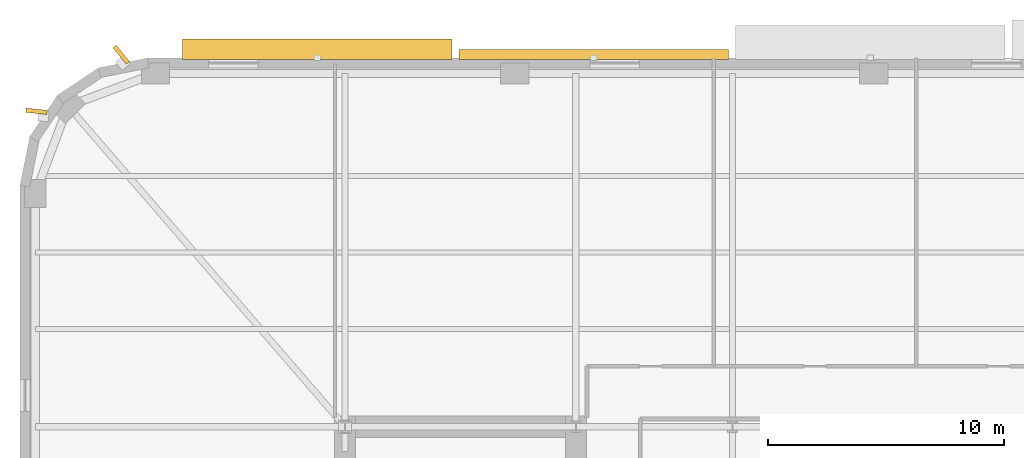
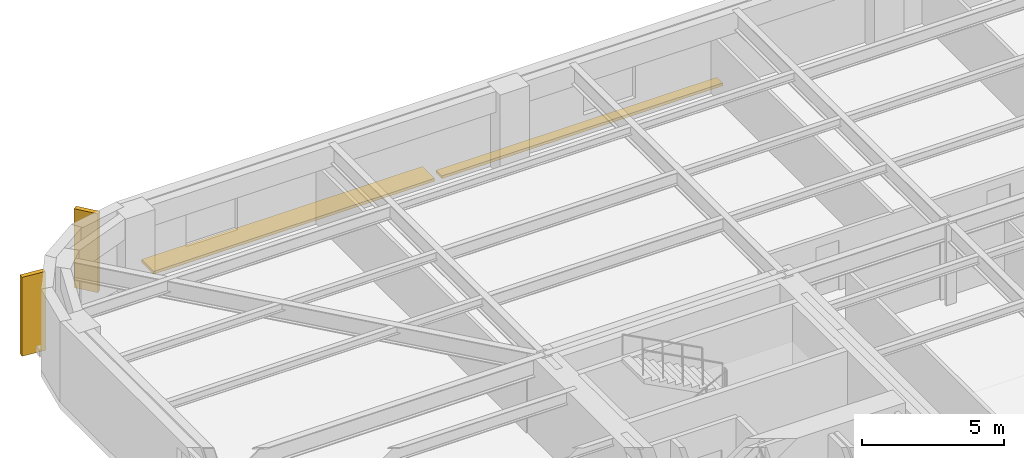
# One storey, part 13 of 15: 4 shading devices.
"""IFC4 building model written with IfcOpenShell, lengths in metres."""

from ifc_helpers import new_model, si_unit, direction, frame, origin, origin_2d, place, context, subcontext, project, spatial, rectangle, extrude, material, type_object, element, save


model = new_model("IFC4")

# Units and contexts
model_context = context("Model", 3, precision=1e-05, world=origin(), true_north=direction((0.0, 1.0)))
body_context = subcontext(model_context, "Body", "Model", "MODEL_VIEW")
ifc_project = project(units=[si_unit("LENGTHUNIT", "METRE"), si_unit("AREAUNIT", "SQUARE_METRE"), si_unit("VOLUMEUNIT", "CUBIC_METRE"), si_unit("PLANEANGLEUNIT", "RADIAN"), si_unit("MASSUNIT", "GRAM", prefix="KILO")], contexts=[model_context])

# Site, building, storey
site_placement = place(None, origin())
site = spatial("IfcSite", under=ifc_project, at=site_placement, CompositionType="ELEMENT")
building_placement = place(site_placement, origin())
building = spatial("IfcBuilding", under=site, at=building_placement, Name="Kolvaren Arena Tower", CompositionType="ELEMENT")
storey_placement = place(building_placement, frame((0.0, 0.0, 60.75)))
storey = spatial("IfcBuildingStorey", under=building, at=storey_placement, Name="L12", CompositionType="ELEMENT", Elevation=60.75)

# Shading devices
ifc_material_1 = material(Name="Precast architectural concrete C50/60 rib fin", Category="concrete")
shading_device_type_1 = type_object("IfcShadingDeviceType", Name="SHAD-FIN-28", PredefinedType="USERDEFINED", material=ifc_material_1)
for number, where, z_axis, x_axis, name in (
    (1, (5.04638671875, 49.6474609375, 0.02001953125), (0.0, 0.0, 1.0), (-0.632722898811, 0.774378288254, 0.0), "Precast 28-Deg Corner Rib Fin (L12)"),
    (2, (1.447021484375, 47.242431640625, 0.02001953125), (0.0, 0.0, 1.0), (-0.994971840066, 0.100155067151, 0.0), "Precast 28-Deg Corner Rib Fin (L12)"),
):
    element("IfcShadingDevice", number, at=place(storey_placement, frame(where, z_axis=z_axis, x_axis=x_axis)), inside=storey, type_object=shading_device_type_1, Name=name, ObjectType="FIN", PredefinedType="USERDEFINED", context=body_context, shape_type="SweptSolid", body=[
        extrude(rectangle(XDim=0.89990234375, YDim=0.179931640625, at=origin_2d()), origin(), (0.0, 0.0, 1.0), 3.39990234375),
    ])
ifc_material_2 = material(Name="Architectural precast GFRC and anodised aluminium sunshade", Category="concrete")
shading_device_type_2 = type_object("IfcShadingDeviceType", Name="SHAD-SINE-A", PredefinedType="USERDEFINED", material=ifc_material_2)
shading_device_1_placement = place(storey_placement, frame((13.3701171875, 49.878173828125, -0.14013671875), z_axis=(0.0, 0.0, 1.0), x_axis=(1.0, 0.0, 0.0)))
element("IfcShadingDevice", 3, at=shading_device_1_placement, inside=storey, type_object=shading_device_type_2, Name="Sinusoidal Slab-Edge Sunshade Louvre (L12)", ObjectType="LOUVRE", PredefinedType="USERDEFINED", context=body_context, shape_type="SweptSolid", body=[
    extrude(rectangle(XDim=11.43994140625, YDim=0.8564453125, at=origin_2d()), origin(), (0.0, 0.0, 1.0), 0.1201171875),
])
shading_device_2_placement = place(storey_placement, frame((25.110107421875, 49.65478515625, -0.14013671875), z_axis=(0.0, 0.0, 1.0), x_axis=(1.0, 0.0, 0.0)))
element("IfcShadingDevice", 4, at=shading_device_2_placement, inside=storey, type_object=shading_device_type_2, Name="Sinusoidal Slab-Edge Sunshade Louvre (L12)", ObjectType="LOUVRE", PredefinedType="USERDEFINED", context=body_context, shape_type="SweptSolid", body=[
    extrude(rectangle(XDim=11.43994140625, YDim=0.40966796875, at=origin_2d()), origin(), (0.0, 0.0, 1.0), 0.1201171875),
])

save(model, "model.ifc")
